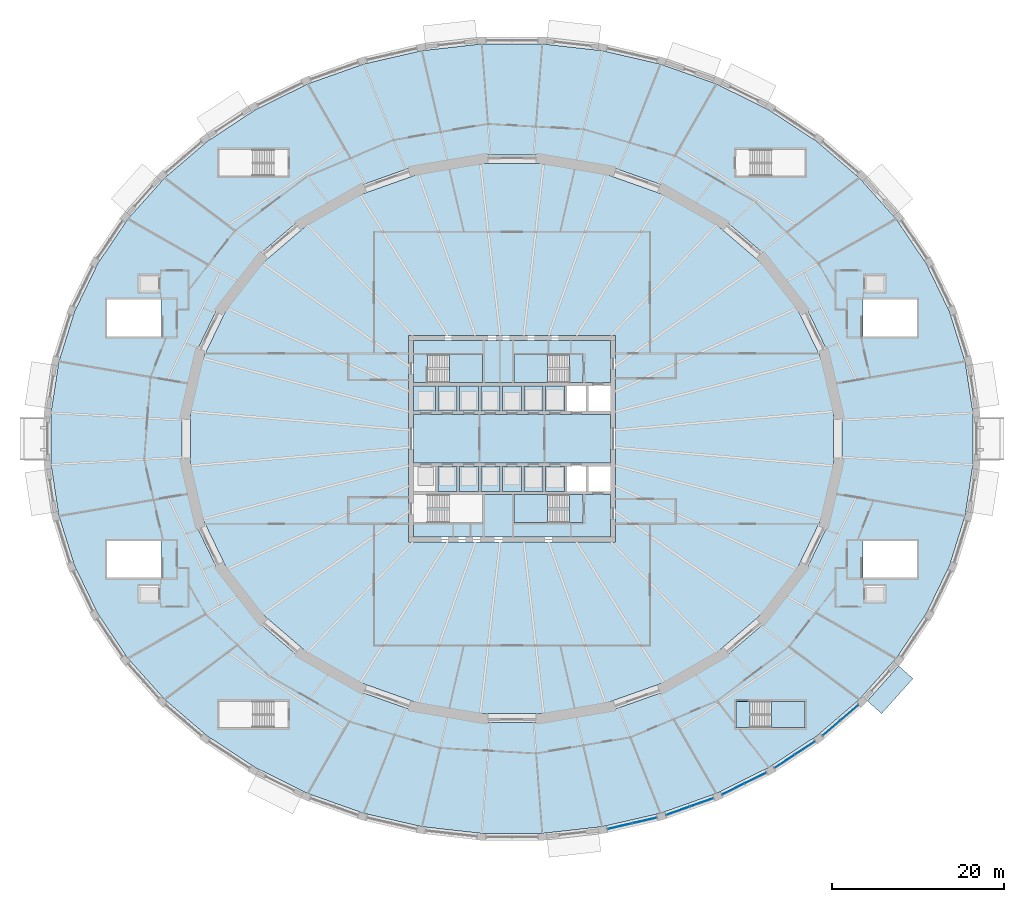
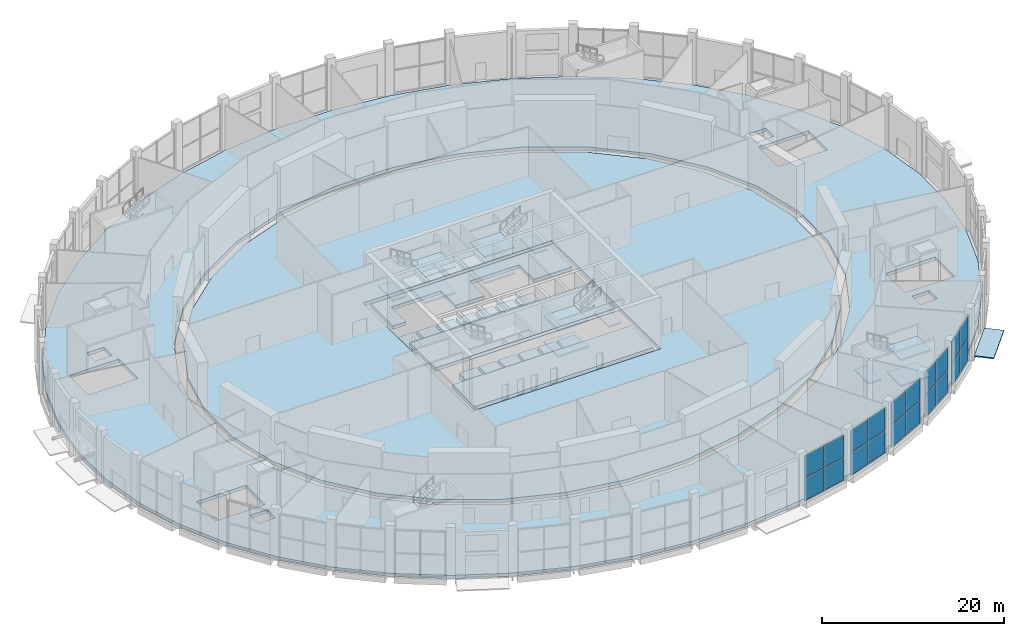
# One storey, part 16 of 33: 31 slabs, 20 plates, 9 elements without a shape of their own.
"""IFC4 building model written with IfcOpenShell, lengths in metres."""

from ifc_helpers import new_model, si_unit, direction, frame, origin, origin_2d, place, context, subcontext, project, spatial, polyline, rectangle, outline, extrude, material, layer, layer_set, type_object, element, aggregate, save


model = new_model("IFC4")

# Units and contexts
model_context = context("Model", 3, precision=1e-05, world=origin(), true_north=direction((0.0, 1.0)))
body_context = subcontext(model_context, "Body", "Model", "MODEL_VIEW")
ifc_project = project(units=[si_unit("LENGTHUNIT", "METRE"), si_unit("AREAUNIT", "SQUARE_METRE"), si_unit("VOLUMEUNIT", "CUBIC_METRE"), si_unit("PLANEANGLEUNIT", "RADIAN"), si_unit("MASSUNIT", "GRAM", prefix="KILO")], contexts=[model_context])

# Site, building, storey
site_placement = place(None, origin())
site = spatial("IfcSite", under=ifc_project, at=site_placement, CompositionType="ELEMENT")
building_placement = place(site_placement, origin())
building = spatial("IfcBuilding", under=site, at=building_placement, Name="Halqa Exchange Tower", CompositionType="ELEMENT")
storey_placement = place(building_placement, origin())
storey = spatial("IfcBuildingStorey", under=building, at=storey_placement, Name="L00", CompositionType="ELEMENT", Elevation=0.0)

# Slabs
ifc_material_1 = material(Name="Concrete C60/75", Category="concrete")
ifc_layer_1 = layer(ifc_material_1, 0.449951171875)
ifc_layer_set_1 = layer_set([ifc_layer_1], Name="Concrete C60/75")
slab_type_1 = type_object("IfcSlabType", Name="Core floor slab 450", PredefinedType="FLOOR", material=ifc_layer_set_1)
slab_1_placement = place(storey_placement, frame((0.0, 0.0, -0.449951171875)))
element("IfcSlab", 1, at=slab_1_placement, inside=storey, type_object=slab_type_1, Name="Core floor slab", PredefinedType="FLOOR", context=body_context, shape_type="SweptSolid", body=[
    extrude(outline(polyline([(-11.39990234375, 2.800048828125), (11.39990234375, 2.800048828125), (11.39990234375, -2.800048828125), (-11.39990234375, -2.800048828125), (-11.39990234375, 2.800048828125)])), origin(), (0.0, 0.0, 1.0), 0.449951171875),
])
slab_2_placement = place(storey_placement, frame((0.0, 0.0, -0.449951171875)))
element("IfcSlab", 2, at=slab_2_placement, inside=storey, type_object=slab_type_1, Name="Core floor slab", PredefinedType="FLOOR", context=body_context, shape_type="SweptSolid", body=[
    extrude(outline(polyline([(11.39990234375, -6.5), (11.39990234375, -11.39990234375), (-11.39990234375, -11.39990234375), (-11.39990234375, -6.5), (11.39990234375, -6.5)])), origin(), (0.0, 0.0, 1.0), 0.449951171875),
])
slab_3_placement = place(storey_placement, frame((0.0, 0.0, -0.449951171875)))
element("IfcSlab", 3, at=slab_3_placement, inside=storey, type_object=slab_type_1, Name="Core floor slab", PredefinedType="FLOOR", context=body_context, shape_type="SweptSolid", body=[
    extrude(outline(polyline([(-11.39990234375, 11.39990234375), (11.39990234375, 11.39990234375), (11.39990234375, 6.5), (6.550048828125, 6.5), (6.550048828125, 9.75), (0.25, 9.75), (0.25, 6.5), (-3.39990234375, 6.5), (-3.39990234375, 9.75), (-9.699951171875, 9.75), (-9.699951171875, 6.5), (-11.39990234375, 6.5), (-11.39990234375, 11.39990234375)])), origin(), (0.0, 0.0, 1.0), 0.449951171875),
])
ifc_material_2 = material(Name="Granite paving on compacted base", Category="masonry")
ifc_layer_2 = layer(ifc_material_2, 0.14990234375)
ifc_layer_set_2 = layer_set([ifc_layer_2], Name="Granite paving on compacted base")
slab_type_2 = type_object("IfcSlabType", Name="Forecourt paving 150", PredefinedType="USERDEFINED", material=ifc_layer_set_2)
slab_4_placement = place(storey_placement, frame((0.0, 0.0, -0.14990234375)))
element("IfcSlab", 4, at=slab_4_placement, inside=storey, type_object=slab_type_2, Name="Forecourt paving 8", ObjectType="PAVING", PredefinedType="USERDEFINED", context=body_context, shape_type="SweptSolid", body=[
    extrude(outline(polyline([(41.230712890625, -30.421875), (44.864013671875, -26.3623046875), (46.513916015625, -27.838623046875), (42.880615234375, -31.8984375), (41.230712890625, -30.421875)])), origin(), (0.0, 0.0, 1.0), 0.14990234375),
])

# Curtain wall, plates
ifc_material_3 = material(Name="Anodised aluminium and clear glass", Category="aluminium")
curtain_wall_type = type_object("IfcCurtainWallType", Name="Station concourse glazing", PredefinedType="NOTDEFINED", material=ifc_material_3)
curtain_wall_1_placement = place(storey_placement, origin())
curtain_wall_1 = element("IfcCurtainWall", 5, at=curtain_wall_1_placement, inside=storey, type_object=curtain_wall_type, Name="Station concourse glazing run P38", PredefinedType="NOTDEFINED")
ifc_material_4 = material(Name="Clear glass", Category="glass")
ifc_layer_3 = layer(ifc_material_4, 0.0400390625)
ifc_layer_set_3 = layer_set([ifc_layer_3], Name="Clear glass")
plate_type = type_object("IfcPlateType", Name="Laminated clear glass panel 40", PredefinedType="CURTAIN_PANEL", material=ifc_layer_set_3)
plate_1_placement = place(storey_placement, frame((12.503662109375, -44.9580078125, 0.080078125), z_axis=(0.0, 0.0, 1.0), x_axis=(0.974612891234, 0.223896655269, 0.0)))
plate_1 = element("IfcPlate", 6, at=plate_1_placement, type_object=plate_type, Name="P38 panel 1.1", PredefinedType="CURTAIN_PANEL", context=body_context, shape_type="SweptSolid", body=[
    extrude(rectangle(XDim=2.88037109375, YDim=0.0400390625, at=origin_2d()), origin(), (0.0, 0.0, 1.0), 2.97998046875),
])
plate_2_placement = place(storey_placement, frame((12.503662109375, -44.9580078125, 3.139892578125), z_axis=(0.0, 0.0, 1.0), x_axis=(0.974612891234, 0.223896655269, 0.0)))
plate_2 = element("IfcPlate", 7, at=plate_2_placement, type_object=plate_type, Name="P38 panel 1.2", PredefinedType="CURTAIN_PANEL", context=body_context, shape_type="SweptSolid", body=[
    extrude(rectangle(XDim=2.88037109375, YDim=0.0400390625, at=origin_2d()), origin(), (0.0, 0.0, 1.0), 2.97998046875),
])
plate_3_placement = place(storey_placement, frame((15.388916015625, -44.295166015625, 0.080078125), z_axis=(0.0, 0.0, 1.0), x_axis=(0.974612891234, 0.223896655269, 0.0)))
plate_3 = element("IfcPlate", 8, at=plate_3_placement, type_object=plate_type, Name="P38 panel 2.1", PredefinedType="CURTAIN_PANEL", context=body_context, shape_type="SweptSolid", body=[
    extrude(rectangle(XDim=2.88037109375, YDim=0.0400390625, at=origin_2d()), origin(), (0.0, 0.0, 1.0), 2.97998046875),
])
plate_4_placement = place(storey_placement, frame((15.388916015625, -44.295166015625, 3.139892578125), z_axis=(0.0, 0.0, 1.0), x_axis=(0.974612891234, 0.223896655269, 0.0)))
plate_4 = element("IfcPlate", 9, at=plate_4_placement, type_object=plate_type, Name="P38 panel 2.2", PredefinedType="CURTAIN_PANEL", context=body_context, shape_type="SweptSolid", body=[
    extrude(rectangle(XDim=2.88037109375, YDim=0.0400390625, at=origin_2d()), origin(), (0.0, 0.0, 1.0), 2.97998046875),
])
aggregate(curtain_wall_1, [plate_1, plate_2, plate_3, plate_4])

curtain_wall_2_placement = place(storey_placement, origin())
curtain_wall_2 = element("IfcCurtainWall", 10, at=curtain_wall_2_placement, inside=storey, type_object=curtain_wall_type, Name="Station concourse glazing run P39", PredefinedType="NOTDEFINED")
plate_5_placement = place(storey_placement, frame((19.24365234375, -43.173095703125, 0.080078125), z_axis=(0.0, 0.0, 1.0), x_axis=(0.942328875444, 0.334688348326, 0.0)))
plate_5 = element("IfcPlate", 11, at=plate_5_placement, type_object=plate_type, Name="P39 panel 1.1", PredefinedType="CURTAIN_PANEL", context=body_context, shape_type="SweptSolid", body=[
    extrude(rectangle(XDim=2.842529296875, YDim=0.0400390625, at=origin_2d()), origin(), (0.0, 0.0, 1.0), 2.97998046875),
])
plate_6_placement = place(storey_placement, frame((19.24365234375, -43.173095703125, 3.139892578125), z_axis=(0.0, 0.0, 1.0), x_axis=(0.942328875444, 0.334688348326, 0.0)))
plate_6 = element("IfcPlate", 12, at=plate_6_placement, type_object=plate_type, Name="P39 panel 1.2", PredefinedType="CURTAIN_PANEL", context=body_context, shape_type="SweptSolid", body=[
    extrude(rectangle(XDim=2.842529296875, YDim=0.0400390625, at=origin_2d()), origin(), (0.0, 0.0, 1.0), 2.97998046875),
])
plate_7_placement = place(storey_placement, frame((21.99755859375, -42.195068359375, 0.080078125), z_axis=(0.0, 0.0, 1.0), x_axis=(0.942328875444, 0.334688348326, 0.0)))
plate_7 = element("IfcPlate", 13, at=plate_7_placement, type_object=plate_type, Name="P39 panel 2.1", PredefinedType="CURTAIN_PANEL", context=body_context, shape_type="SweptSolid", body=[
    extrude(rectangle(XDim=2.842529296875, YDim=0.0400390625, at=origin_2d()), origin(), (0.0, 0.0, 1.0), 2.97998046875),
])
plate_8_placement = place(storey_placement, frame((21.99755859375, -42.195068359375, 3.139892578125), z_axis=(0.0, 0.0, 1.0), x_axis=(0.942328875444, 0.334688348326, 0.0)))
plate_8 = element("IfcPlate", 14, at=plate_8_placement, type_object=plate_type, Name="P39 panel 2.2", PredefinedType="CURTAIN_PANEL", context=body_context, shape_type="SweptSolid", body=[
    extrude(rectangle(XDim=2.842529296875, YDim=0.0400390625, at=origin_2d()), origin(), (0.0, 0.0, 1.0), 2.97998046875),
])
aggregate(curtain_wall_2, [plate_5, plate_6, plate_7, plate_8])

curtain_wall_3_placement = place(storey_placement, origin())
curtain_wall_3 = element("IfcCurtainWall", 15, at=curtain_wall_3_placement, inside=storey, type_object=curtain_wall_type, Name="Station concourse glazing run P40", PredefinedType="NOTDEFINED")
plate_9_placement = place(storey_placement, frame((25.65478515625, -40.6484375, 0.080078125), z_axis=(0.0, 0.0, 1.0), x_axis=(0.896198440934, 0.443653417058, 0.0)))
plate_9 = element("IfcPlate", 16, at=plate_9_placement, type_object=plate_type, Name="P40 panel 1.1", PredefinedType="CURTAIN_PANEL", context=body_context, shape_type="SweptSolid", body=[
    extrude(rectangle(XDim=2.79296875, YDim=0.0400390625, at=origin_2d()), origin(), (0.0, 0.0, 1.0), 2.97998046875),
])
plate_10_placement = place(storey_placement, frame((25.65478515625, -40.6484375, 3.139892578125), z_axis=(0.0, 0.0, 1.0), x_axis=(0.896198440934, 0.443653417058, 0.0)))
plate_10 = element("IfcPlate", 17, at=plate_10_placement, type_object=plate_type, Name="P40 panel 1.2", PredefinedType="CURTAIN_PANEL", context=body_context, shape_type="SweptSolid", body=[
    extrude(rectangle(XDim=2.79296875, YDim=0.0400390625, at=origin_2d()), origin(), (0.0, 0.0, 1.0), 2.97998046875),
])
plate_11_placement = place(storey_placement, frame((28.2294921875, -39.373779296875, 0.080078125), z_axis=(0.0, 0.0, 1.0), x_axis=(0.896198440934, 0.443653417058, 0.0)))
plate_11 = element("IfcPlate", 18, at=plate_11_placement, type_object=plate_type, Name="P40 panel 2.1", PredefinedType="CURTAIN_PANEL", context=body_context, shape_type="SweptSolid", body=[
    extrude(rectangle(XDim=2.79296875, YDim=0.0400390625, at=origin_2d()), origin(), (0.0, 0.0, 1.0), 2.97998046875),
])
plate_12_placement = place(storey_placement, frame((28.2294921875, -39.373779296875, 3.139892578125), z_axis=(0.0, 0.0, 1.0), x_axis=(0.896198440934, 0.443653417058, 0.0)))
plate_12 = element("IfcPlate", 19, at=plate_12_placement, type_object=plate_type, Name="P40 panel 2.2", PredefinedType="CURTAIN_PANEL", context=body_context, shape_type="SweptSolid", body=[
    extrude(rectangle(XDim=2.79296875, YDim=0.0400390625, at=origin_2d()), origin(), (0.0, 0.0, 1.0), 2.97998046875),
])
aggregate(curtain_wall_3, [plate_9, plate_10, plate_11, plate_12])

curtain_wall_4_placement = place(storey_placement, origin())
curtain_wall_4 = element("IfcCurtainWall", 20, at=curtain_wall_4_placement, inside=storey, type_object=curtain_wall_type, Name="Station concourse glazing run P41", PredefinedType="NOTDEFINED")
plate_13_placement = place(storey_placement, frame((31.62744140625, -37.427001953125, 0.080078125), z_axis=(0.0, 0.0, 1.0), x_axis=(0.835414753652, 0.549620040919, 0.0)))
plate_13 = element("IfcPlate", 21, at=plate_13_placement, type_object=plate_type, Name="P41 panel 1.1", PredefinedType="CURTAIN_PANEL", context=body_context, shape_type="SweptSolid", body=[
    extrude(rectangle(XDim=2.73388671875, YDim=0.0400390625, at=origin_2d()), origin(), (0.0, 0.0, 1.0), 2.97998046875),
])
plate_14_placement = place(storey_placement, frame((31.62744140625, -37.427001953125, 3.139892578125), z_axis=(0.0, 0.0, 1.0), x_axis=(0.835414753652, 0.549620040919, 0.0)))
plate_14 = element("IfcPlate", 22, at=plate_14_placement, type_object=plate_type, Name="P41 panel 1.2", PredefinedType="CURTAIN_PANEL", context=body_context, shape_type="SweptSolid", body=[
    extrude(rectangle(XDim=2.73388671875, YDim=0.0400390625, at=origin_2d()), origin(), (0.0, 0.0, 1.0), 2.97998046875),
])
plate_15_placement = place(storey_placement, frame((33.978271484375, -35.88037109375, 0.080078125), z_axis=(0.0, 0.0, 1.0), x_axis=(0.835414753652, 0.549620040919, 0.0)))
plate_15 = element("IfcPlate", 23, at=plate_15_placement, type_object=plate_type, Name="P41 panel 2.1", PredefinedType="CURTAIN_PANEL", context=body_context, shape_type="SweptSolid", body=[
    extrude(rectangle(XDim=2.73388671875, YDim=0.0400390625, at=origin_2d()), origin(), (0.0, 0.0, 1.0), 2.97998046875),
])
plate_16_placement = place(storey_placement, frame((33.978271484375, -35.88037109375, 3.139892578125), z_axis=(0.0, 0.0, 1.0), x_axis=(0.835414753652, 0.549620040919, 0.0)))
plate_16 = element("IfcPlate", 24, at=plate_16_placement, type_object=plate_type, Name="P41 panel 2.2", PredefinedType="CURTAIN_PANEL", context=body_context, shape_type="SweptSolid", body=[
    extrude(rectangle(XDim=2.73388671875, YDim=0.0400390625, at=origin_2d()), origin(), (0.0, 0.0, 1.0), 2.97998046875),
])
aggregate(curtain_wall_4, [plate_13, plate_14, plate_15, plate_16])

curtain_wall_5_placement = place(storey_placement, origin())
curtain_wall_5 = element("IfcCurtainWall", 25, at=curtain_wall_5_placement, inside=storey, type_object=curtain_wall_type, Name="Station concourse glazing run P42", PredefinedType="NOTDEFINED")
plate_17_placement = place(storey_placement, frame((37.058349609375, -33.563720703125, 0.080078125), z_axis=(0.0, 0.0, 1.0), x_axis=(0.759154109704, 0.650910929175, 0.0)))
plate_17 = element("IfcPlate", 26, at=plate_17_placement, type_object=plate_type, Name="P42 panel 1.1", PredefinedType="CURTAIN_PANEL", context=body_context, shape_type="SweptSolid", body=[
    extrude(rectangle(XDim=2.66943359375, YDim=0.0400390625, at=origin_2d()), origin(), (0.0, 0.0, 1.0), 2.97998046875),
])
plate_18_placement = place(storey_placement, frame((37.058349609375, -33.563720703125, 3.139892578125), z_axis=(0.0, 0.0, 1.0), x_axis=(0.759154109704, 0.650910929175, 0.0)))
plate_18 = element("IfcPlate", 27, at=plate_18_placement, type_object=plate_type, Name="P42 panel 1.2", PredefinedType="CURTAIN_PANEL", context=body_context, shape_type="SweptSolid", body=[
    extrude(rectangle(XDim=2.66943359375, YDim=0.0400390625, at=origin_2d()), origin(), (0.0, 0.0, 1.0), 2.97998046875),
])
plate_19_placement = place(storey_placement, frame((39.145751953125, -31.774169921875, 0.080078125), z_axis=(0.0, 0.0, 1.0), x_axis=(0.759154109704, 0.650910929175, 0.0)))
plate_19 = element("IfcPlate", 28, at=plate_19_placement, type_object=plate_type, Name="P42 panel 2.1", PredefinedType="CURTAIN_PANEL", context=body_context, shape_type="SweptSolid", body=[
    extrude(rectangle(XDim=2.66943359375, YDim=0.0400390625, at=origin_2d()), origin(), (0.0, 0.0, 1.0), 2.97998046875),
])
plate_20_placement = place(storey_placement, frame((39.145751953125, -31.774169921875, 3.139892578125), z_axis=(0.0, 0.0, 1.0), x_axis=(0.759154109704, 0.650910929175, 0.0)))
plate_20 = element("IfcPlate", 29, at=plate_20_placement, type_object=plate_type, Name="P42 panel 2.2", PredefinedType="CURTAIN_PANEL", context=body_context, shape_type="SweptSolid", body=[
    extrude(rectangle(XDim=2.66943359375, YDim=0.0400390625, at=origin_2d()), origin(), (0.0, 0.0, 1.0), 2.97998046875),
])
aggregate(curtain_wall_5, [plate_17, plate_18, plate_19, plate_20])

# Slabs
ifc_layer_4 = layer(ifc_material_1, 0.800048828125)
ifc_layer_set_4 = layer_set([ifc_layer_4], Name="Concrete C60/75")
slab_type_3 = type_object("IfcSlabType", Name="Lift pit slab 800", PredefinedType="BASESLAB", material=ifc_layer_set_4)
slab_5_placement = place(storey_placement, frame((0.0, 0.0, -2.199951171875)))
element("IfcSlab", 30, at=slab_5_placement, inside=storey, type_object=slab_type_3, Name="Lift pit slab LR1", PredefinedType="BASESLAB", context=body_context, shape_type="SweptSolid", body=[
    extrude(outline(polyline([(-11.39990234375, 3.199951171875), (-8.89990234375, 3.199951171875), (-8.89990234375, 6.10009765625), (-11.39990234375, 6.10009765625), (-11.39990234375, 3.199951171875)])), origin(), (0.0, 0.0, 1.0), 0.800048828125),
])
slab_6_placement = place(storey_placement, frame((0.0, 0.0, -2.199951171875)))
element("IfcSlab", 31, at=slab_6_placement, inside=storey, type_object=slab_type_3, Name="Lift pit slab LR2", PredefinedType="BASESLAB", context=body_context, shape_type="SweptSolid", body=[
    extrude(outline(polyline([(-8.60009765625, 3.199951171875), (-6.39990234375, 3.199951171875), (-6.39990234375, 6.10009765625), (-8.60009765625, 6.10009765625), (-8.60009765625, 3.199951171875)])), origin(), (0.0, 0.0, 1.0), 0.800048828125),
])
slab_7_placement = place(storey_placement, frame((0.0, 0.0, -2.199951171875)))
element("IfcSlab", 32, at=slab_7_placement, inside=storey, type_object=slab_type_3, Name="Lift pit slab LR3", PredefinedType="BASESLAB", context=body_context, shape_type="SweptSolid", body=[
    extrude(outline(polyline([(-6.10009765625, 3.199951171875), (-3.89990234375, 3.199951171875), (-3.89990234375, 6.10009765625), (-6.10009765625, 6.10009765625), (-6.10009765625, 3.199951171875)])), origin(), (0.0, 0.0, 1.0), 0.800048828125),
])
slab_8_placement = place(storey_placement, frame((0.0, 0.0, -2.199951171875)))
element("IfcSlab", 33, at=slab_8_placement, inside=storey, type_object=slab_type_3, Name="Lift pit slab LR4", PredefinedType="BASESLAB", context=body_context, shape_type="SweptSolid", body=[
    extrude(outline(polyline([(-3.60009765625, 3.199951171875), (-1.39990234375, 3.199951171875), (-1.39990234375, 6.10009765625), (-3.60009765625, 6.10009765625), (-3.60009765625, 3.199951171875)])), origin(), (0.0, 0.0, 1.0), 0.800048828125),
])
slab_9_placement = place(storey_placement, frame((0.0, 0.0, -2.199951171875)))
element("IfcSlab", 34, at=slab_9_placement, inside=storey, type_object=slab_type_3, Name="Lift pit slab OB1", PredefinedType="BASESLAB", context=body_context, shape_type="SweptSolid", body=[
    extrude(outline(polyline([(-1.10009765625, 3.199951171875), (1.10009765625, 3.199951171875), (1.10009765625, 6.10009765625), (-1.10009765625, 6.10009765625), (-1.10009765625, 3.199951171875)])), origin(), (0.0, 0.0, 1.0), 0.800048828125),
])
slab_10_placement = place(storey_placement, frame((0.0, 0.0, -2.199951171875)))
element("IfcSlab", 35, at=slab_10_placement, inside=storey, type_object=slab_type_3, Name="Lift pit slab SH1", PredefinedType="BASESLAB", context=body_context, shape_type="SweptSolid", body=[
    extrude(outline(polyline([(1.39990234375, 3.199951171875), (3.60009765625, 3.199951171875), (3.60009765625, 6.10009765625), (1.39990234375, 6.10009765625), (1.39990234375, 3.199951171875)])), origin(), (0.0, 0.0, 1.0), 0.800048828125),
])
slab_11_placement = place(storey_placement, frame((0.0, 0.0, -2.199951171875)))
element("IfcSlab", 36, at=slab_11_placement, inside=storey, type_object=slab_type_3, Name="Lift pit slab SH2", PredefinedType="BASESLAB", context=body_context, shape_type="SweptSolid", body=[
    extrude(outline(polyline([(3.89990234375, 3.199951171875), (6.10009765625, 3.199951171875), (6.10009765625, 6.10009765625), (3.89990234375, 6.10009765625), (3.89990234375, 3.199951171875)])), origin(), (0.0, 0.0, 1.0), 0.800048828125),
])
slab_12_placement = place(storey_placement, frame((0.0, 0.0, -2.199951171875)))
element("IfcSlab", 37, at=slab_12_placement, inside=storey, type_object=slab_type_3, Name="Lift pit slab LR6", PredefinedType="BASESLAB", context=body_context, shape_type="SweptSolid", body=[
    extrude(outline(polyline([(-8.60009765625, -6.10009765625), (-6.39990234375, -6.10009765625), (-6.39990234375, -3.199951171875), (-8.60009765625, -3.199951171875), (-8.60009765625, -6.10009765625)])), origin(), (0.0, 0.0, 1.0), 0.800048828125),
])
slab_13_placement = place(storey_placement, frame((0.0, 0.0, -2.199951171875)))
element("IfcSlab", 38, at=slab_13_placement, inside=storey, type_object=slab_type_3, Name="Lift pit slab LR7", PredefinedType="BASESLAB", context=body_context, shape_type="SweptSolid", body=[
    extrude(outline(polyline([(-6.10009765625, -6.10009765625), (-3.89990234375, -6.10009765625), (-3.89990234375, -3.199951171875), (-6.10009765625, -3.199951171875), (-6.10009765625, -6.10009765625)])), origin(), (0.0, 0.0, 1.0), 0.800048828125),
])
slab_14_placement = place(storey_placement, frame((0.0, 0.0, -2.199951171875)))
element("IfcSlab", 39, at=slab_14_placement, inside=storey, type_object=slab_type_3, Name="Lift pit slab LR8", PredefinedType="BASESLAB", context=body_context, shape_type="SweptSolid", body=[
    extrude(outline(polyline([(-3.60009765625, -6.10009765625), (-1.39990234375, -6.10009765625), (-1.39990234375, -3.199951171875), (-3.60009765625, -3.199951171875), (-3.60009765625, -6.10009765625)])), origin(), (0.0, 0.0, 1.0), 0.800048828125),
])
slab_15_placement = place(storey_placement, frame((0.0, 0.0, -2.199951171875)))
element("IfcSlab", 40, at=slab_15_placement, inside=storey, type_object=slab_type_3, Name="Lift pit slab OB2", PredefinedType="BASESLAB", context=body_context, shape_type="SweptSolid", body=[
    extrude(outline(polyline([(-1.10009765625, -6.10009765625), (1.10009765625, -6.10009765625), (1.10009765625, -3.199951171875), (-1.10009765625, -3.199951171875), (-1.10009765625, -6.10009765625)])), origin(), (0.0, 0.0, 1.0), 0.800048828125),
])
slab_16_placement = place(storey_placement, frame((0.0, 0.0, -2.199951171875)))
element("IfcSlab", 41, at=slab_16_placement, inside=storey, type_object=slab_type_3, Name="Lift pit slab SH3", PredefinedType="BASESLAB", context=body_context, shape_type="SweptSolid", body=[
    extrude(outline(polyline([(1.39990234375, -6.10009765625), (3.60009765625, -6.10009765625), (3.60009765625, -3.199951171875), (1.39990234375, -3.199951171875), (1.39990234375, -6.10009765625)])), origin(), (0.0, 0.0, 1.0), 0.800048828125),
])
slab_17_placement = place(storey_placement, frame((0.0, 0.0, -2.199951171875)))
element("IfcSlab", 42, at=slab_17_placement, inside=storey, type_object=slab_type_3, Name="Lift pit slab SH4", PredefinedType="BASESLAB", context=body_context, shape_type="SweptSolid", body=[
    extrude(outline(polyline([(3.89990234375, -6.10009765625), (6.10009765625, -6.10009765625), (6.10009765625, -3.199951171875), (3.89990234375, -3.199951171875), (3.89990234375, -6.10009765625)])), origin(), (0.0, 0.0, 1.0), 0.800048828125),
])
ifc_material_5 = material(Name="Concrete C40/50", Category="concrete")
ifc_layer_5 = layer(ifc_material_5, 0.449951171875)
ifc_layer_set_5 = layer_set([ifc_layer_5], Name="Concrete C40/50")
slab_type_4 = type_object("IfcSlabType", Name="RC floor slab 450", PredefinedType="FLOOR", material=ifc_layer_set_5)
slab_18_placement = place(storey_placement, frame((0.0, 0.0, -0.449951171875)))
element("IfcSlab", 43, at=slab_18_placement, inside=storey, type_object=slab_type_4, Name="Floor slab", PredefinedType="FLOOR", context=body_context, shape_type="SweptSolid", body=[
    extrude(outline(polyline([(37.31689453125, 3.13525390625), (37.31689453125, -3.13525390625), (35.88916015625, -9.28759765625), (33.0859375, -15.088623046875), (29.010986328125, -20.316162109375), (23.8173828125, -24.767578125), (17.70361328125, -28.269287109375), (10.904296875, -30.683349609375), (3.682373046875, -31.91455078125), (-3.682373046875, -31.91455078125), (-10.904296875, -30.683349609375), (-17.70361328125, -28.269287109375), (-23.8173828125, -24.767578125), (-29.010986328125, -20.316162109375), (-33.0859375, -15.088623046875), (-35.88916015625, -9.28759765625), (-37.31689453125, -3.13525390625), (-37.31689453125, 3.13525390625), (-35.88916015625, 9.28759765625), (-33.0859375, 15.088623046875), (-29.010986328125, 20.316162109375), (-23.8173828125, 24.767578125), (-17.70361328125, 28.269287109375), (-10.904296875, 30.683349609375), (-3.682373046875, 31.91455078125), (3.682373046875, 31.91455078125), (10.904296875, 30.683349609375), (17.70361328125, 28.269287109375), (23.8173828125, 24.767578125), (29.010986328125, 20.316162109375), (33.0859375, 15.088623046875), (35.88916015625, 9.28759765625), (37.31689453125, 3.13525390625)]), holes=[polyline([(-12.0, -12.0), (12.0, -12.0), (12.0, 12.0), (-12.0, 12.0), (-12.0, -12.0)])]), origin(), (0.0, 0.0, 1.0), 0.449951171875),
])
slab_19_placement = place(storey_placement, frame((0.0, 0.0, -0.449951171875)))
element("IfcSlab", 44, at=slab_19_placement, inside=storey, type_object=slab_type_4, Name="Podium floor slab", PredefinedType="FLOOR", context=body_context, shape_type="SweptSolid", body=[
    extrude(outline(polyline([(53.484375, 2.997802734375), (53.484375, -2.997802734375), (52.571533203125, -8.942138671875), (50.76123046875, -14.735107421875), (48.08349609375, -20.2783203125), (44.5830078125, -25.476806640625), (40.31884765625, -30.2412109375), (35.363525390625, -34.489990234375), (29.801513671875, -38.1494140625), (23.727294921875, -41.15625), (17.24560546875, -43.458251953125), (10.467529296875, -45.015380859375), (3.50927734375, -45.80078125), (-3.50927734375, -45.80078125), (-10.467529296875, -45.015380859375), (-17.24560546875, -43.458251953125), (-23.727294921875, -41.15625), (-29.801513671875, -38.1494140625), (-35.363525390625, -34.489990234375), (-40.31884765625, -30.2412109375), (-44.5830078125, -25.476806640625), (-48.08349609375, -20.2783203125), (-50.76123046875, -14.735107421875), (-52.571533203125, -8.942138671875), (-53.484375, -2.997802734375), (-53.484375, 2.997802734375), (-52.571533203125, 8.942138671875), (-50.76123046875, 14.735107421875), (-48.08349609375, 20.2783203125), (-44.5830078125, 25.476806640625), (-40.31884765625, 30.2412109375), (-35.363525390625, 34.489990234375), (-29.801513671875, 38.1494140625), (-23.727294921875, 41.15625), (-17.24560546875, 43.458251953125), (-10.467529296875, 45.015380859375), (-3.50927734375, 45.80078125), (3.50927734375, 45.80078125), (10.467529296875, 45.015380859375), (17.24560546875, 43.458251953125), (23.727294921875, 41.15625), (29.801513671875, 38.1494140625), (35.363525390625, 34.489990234375), (40.31884765625, 30.2412109375), (44.5830078125, 25.476806640625), (48.08349609375, 20.2783203125), (50.76123046875, 14.735107421875), (52.571533203125, 8.942138671875), (53.484375, 2.997802734375)]), holes=[polyline([(38.31689453125, 3.25), (38.31689453125, -3.25), (36.838134765625, -9.622314453125), (33.93994140625, -15.619384765625), (29.73779296875, -21.010009765625), (24.396484375, -25.58837890625), (18.122802734375, -29.181640625), (11.157470703125, -31.654541015625), (3.76708984375, -32.91455078125), (-3.76708984375, -32.91455078125), (-11.157470703125, -31.654541015625), (-18.122802734375, -29.181640625), (-24.396484375, -25.58837890625), (-29.73779296875, -21.010009765625), (-33.93994140625, -15.619384765625), (-36.838134765625, -9.622314453125), (-38.31689453125, -3.25), (-38.31689453125, 3.25), (-36.838134765625, 9.622314453125), (-33.93994140625, 15.619384765625), (-29.73779296875, 21.010009765625), (-24.396484375, 25.58837890625), (-18.122802734375, 29.181640625), (-11.157470703125, 31.654541015625), (-3.76708984375, 32.91455078125), (3.76708984375, 32.91455078125), (11.157470703125, 31.654541015625), (18.122802734375, 29.181640625), (24.396484375, 25.58837890625), (29.73779296875, 21.010009765625), (33.93994140625, 15.619384765625), (36.838134765625, 9.622314453125), (38.31689453125, 3.25)]), polyline([(40.699951171875, 11.875), (47.0, 11.875), (47.0, 16.125), (40.699951171875, 16.125), (40.699951171875, 11.875)]), polyline([(40.699951171875, -16.125), (47.0, -16.125), (47.0, -11.875), (40.699951171875, -11.875), (40.699951171875, -16.125)]), polyline([(-47.0, 11.875), (-40.699951171875, 11.875), (-40.699951171875, 16.125), (-47.0, 16.125), (-47.0, 11.875)]), polyline([(-47.0, -16.125), (-40.699951171875, -16.125), (-40.699951171875, -11.875), (-47.0, -11.875), (-47.0, -16.125)]), polyline([(41.0, 17.10009765625), (43.199951171875, 17.10009765625), (43.199951171875, 18.89990234375), (41.0, 18.89990234375), (41.0, 17.10009765625)]), polyline([(41.0, -18.89990234375), (43.199951171875, -18.89990234375), (43.199951171875, -17.10009765625), (41.0, -17.10009765625), (41.0, -18.89990234375)]), polyline([(-43.199951171875, 17.10009765625), (-41.0, 17.10009765625), (-41.0, 18.89990234375), (-43.199951171875, 18.89990234375), (-43.199951171875, 17.10009765625)]), polyline([(-43.199951171875, -18.89990234375), (-41.0, -18.89990234375), (-41.0, -17.10009765625), (-43.199951171875, -17.10009765625), (-43.199951171875, -18.89990234375)])]), origin(), (0.0, 0.0, 1.0), 0.449951171875),
])

# Stair, slabs
ifc_material_6 = material(Name="Concrete C30/37", Category="concrete")
stair_type_1 = type_object("IfcStairType", Name="Exit stair 1500 wide", PredefinedType="HALF_TURN_STAIR", material=ifc_material_6)
stair_1_placement = place(storey_placement, origin())
stair_1 = element("IfcStair", 45, at=stair_1_placement, inside=storey, type_object=stair_type_1, Name="Exit stair ST1", PredefinedType="HALF_TURN_STAIR")
ifc_layer_6 = layer(ifc_material_6, 0.199951171875)
ifc_layer_set_6 = layer_set([ifc_layer_6], Name="Concrete C30/37")
slab_type_5 = type_object("IfcSlabType", Name="Stair landing 200 slab", PredefinedType="LANDING", material=ifc_layer_set_6)
slab_20_placement = place(storey_placement, frame((0.0, 0.0, 1.550048828125)))
slab_20 = element("IfcSlab", 46, at=slab_20_placement, type_object=slab_type_5, Name="ST1 landing 1", PredefinedType="LANDING", context=body_context, shape_type="SweptSolid", body=[
    extrude(outline(polyline([(-7.280029296875, 6.5), (-3.39990234375, 6.5), (-3.39990234375, 9.75), (-7.280029296875, 9.75), (-7.280029296875, 6.5)])), origin(), (0.0, 0.0, 1.0), 0.199951171875),
])
slab_21_placement = place(storey_placement, frame((0.0, 0.0, 3.300048828125)))
slab_21 = element("IfcSlab", 47, at=slab_21_placement, type_object=slab_type_5, Name="ST1 landing 2", PredefinedType="LANDING", context=body_context, shape_type="SweptSolid", body=[
    extrude(outline(polyline([(-11.39990234375, 6.5), (-9.800048828125, 6.5), (-9.800048828125, 9.75), (-11.39990234375, 9.75), (-11.39990234375, 6.5)])), origin(), (0.0, 0.0, 1.0), 0.199951171875),
])
slab_22_placement = place(storey_placement, frame((0.0, 0.0, 5.050048828125)))
slab_22 = element("IfcSlab", 48, at=slab_22_placement, type_object=slab_type_5, Name="ST1 landing 3", PredefinedType="LANDING", context=body_context, shape_type="SweptSolid", body=[
    extrude(outline(polyline([(-7.280029296875, 6.5), (-3.39990234375, 6.5), (-3.39990234375, 9.75), (-7.280029296875, 9.75), (-7.280029296875, 6.5)])), origin(), (0.0, 0.0, 1.0), 0.199951171875),
])
aggregate(stair_1, [slab_20, slab_21, slab_22])

stair_2_placement = place(storey_placement, origin())
stair_2 = element("IfcStair", 49, at=stair_2_placement, inside=storey, type_object=stair_type_1, Name="Exit stair ST2", PredefinedType="HALF_TURN_STAIR")
slab_23_placement = place(storey_placement, frame((0.0, 0.0, 1.550048828125)))
slab_23 = element("IfcSlab", 50, at=slab_23_placement, type_object=slab_type_5, Name="ST2 landing 1", PredefinedType="LANDING", context=body_context, shape_type="SweptSolid", body=[
    extrude(outline(polyline([(0.25, 6.5), (4.1298828125, 6.5), (4.1298828125, 9.75), (0.25, 9.75), (0.25, 6.5)])), origin(), (0.0, 0.0, 1.0), 0.199951171875),
])
slab_24_placement = place(storey_placement, frame((0.0, 0.0, 3.300048828125)))
slab_24 = element("IfcSlab", 51, at=slab_24_placement, type_object=slab_type_5, Name="ST2 landing 2", PredefinedType="LANDING", context=body_context, shape_type="SweptSolid", body=[
    extrude(outline(polyline([(6.64990234375, 6.5), (8.25, 6.5), (8.25, 9.75), (6.64990234375, 9.75), (6.64990234375, 6.5)])), origin(), (0.0, 0.0, 1.0), 0.199951171875),
])
slab_25_placement = place(storey_placement, frame((0.0, 0.0, 5.050048828125)))
slab_25 = element("IfcSlab", 52, at=slab_25_placement, type_object=slab_type_5, Name="ST2 landing 3", PredefinedType="LANDING", context=body_context, shape_type="SweptSolid", body=[
    extrude(outline(polyline([(0.25, 6.5), (4.1298828125, 6.5), (4.1298828125, 9.75), (0.25, 9.75), (0.25, 6.5)])), origin(), (0.0, 0.0, 1.0), 0.199951171875),
])
aggregate(stair_2, [slab_23, slab_24, slab_25])

stair_3_placement = place(storey_placement, origin())
stair_3 = element("IfcStair", 53, at=stair_3_placement, inside=storey, type_object=stair_type_1, Name="Exit stair ST4", PredefinedType="HALF_TURN_STAIR")
slab_26_placement = place(storey_placement, frame((0.0, 0.0, 1.550048828125)))
slab_26 = element("IfcSlab", 54, at=slab_26_placement, type_object=slab_type_5, Name="ST4 landing 1", PredefinedType="LANDING", context=body_context, shape_type="SweptSolid", body=[
    extrude(outline(polyline([(0.25, -9.75), (4.1298828125, -9.75), (4.1298828125, -6.5), (0.25, -6.5), (0.25, -9.75)])), origin(), (0.0, 0.0, 1.0), 0.199951171875),
])
slab_27_placement = place(storey_placement, frame((0.0, 0.0, 3.300048828125)))
slab_27 = element("IfcSlab", 55, at=slab_27_placement, type_object=slab_type_5, Name="ST4 landing 2", PredefinedType="LANDING", context=body_context, shape_type="SweptSolid", body=[
    extrude(outline(polyline([(6.64990234375, -9.75), (8.25, -9.75), (8.25, -6.5), (6.64990234375, -6.5), (6.64990234375, -9.75)])), origin(), (0.0, 0.0, 1.0), 0.199951171875),
])
slab_28_placement = place(storey_placement, frame((0.0, 0.0, 5.050048828125)))
slab_28 = element("IfcSlab", 56, at=slab_28_placement, type_object=slab_type_5, Name="ST4 landing 3", PredefinedType="LANDING", context=body_context, shape_type="SweptSolid", body=[
    extrude(outline(polyline([(0.25, -9.75), (4.1298828125, -9.75), (4.1298828125, -6.5), (0.25, -6.5), (0.25, -9.75)])), origin(), (0.0, 0.0, 1.0), 0.199951171875),
])
aggregate(stair_3, [slab_26, slab_27, slab_28])

stair_type_2 = type_object("IfcStairType", Name="Exit stair 1400 wide", PredefinedType="HALF_TURN_STAIR", material=ifc_material_6)
stair_4_placement = place(storey_placement, origin())
stair_4 = element("IfcStair", 57, at=stair_4_placement, inside=storey, type_object=stair_type_2, Name="Exit stair PS2", PredefinedType="HALF_TURN_STAIR")
slab_29_placement = place(storey_placement, frame((0.0, 0.0, 1.550048828125)))
slab_29 = element("IfcSlab", 58, at=slab_29_placement, type_object=slab_type_5, Name="PS2 landing 1", PredefinedType="LANDING", context=body_context, shape_type="SweptSolid", body=[
    extrude(outline(polyline([(30.1201171875, -33.52490234375), (34.0, -33.52490234375), (34.0, -30.47509765625), (30.1201171875, -30.47509765625), (30.1201171875, -33.52490234375)])), origin(), (0.0, 0.0, 1.0), 0.199951171875),
])
slab_30_placement = place(storey_placement, frame((0.0, 0.0, 3.300048828125)))
slab_30 = element("IfcSlab", 59, at=slab_30_placement, type_object=slab_type_5, Name="PS2 landing 2", PredefinedType="LANDING", context=body_context, shape_type="SweptSolid", body=[
    extrude(outline(polyline([(26.0, -33.52490234375), (27.60009765625, -33.52490234375), (27.60009765625, -30.47509765625), (26.0, -30.47509765625), (26.0, -33.52490234375)])), origin(), (0.0, 0.0, 1.0), 0.199951171875),
])
slab_31_placement = place(storey_placement, frame((0.0, 0.0, 5.050048828125)))
slab_31 = element("IfcSlab", 60, at=slab_31_placement, type_object=slab_type_5, Name="PS2 landing 3", PredefinedType="LANDING", context=body_context, shape_type="SweptSolid", body=[
    extrude(outline(polyline([(30.1201171875, -33.52490234375), (34.0, -33.52490234375), (34.0, -30.47509765625), (30.1201171875, -30.47509765625), (30.1201171875, -33.52490234375)])), origin(), (0.0, 0.0, 1.0), 0.199951171875),
])
aggregate(stair_4, [slab_29, slab_30, slab_31])

save(model, "model.ifc")
